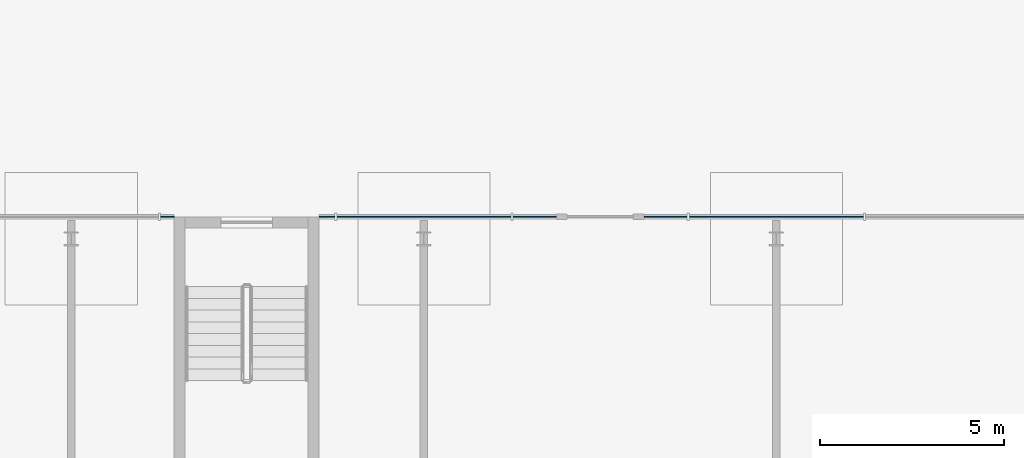
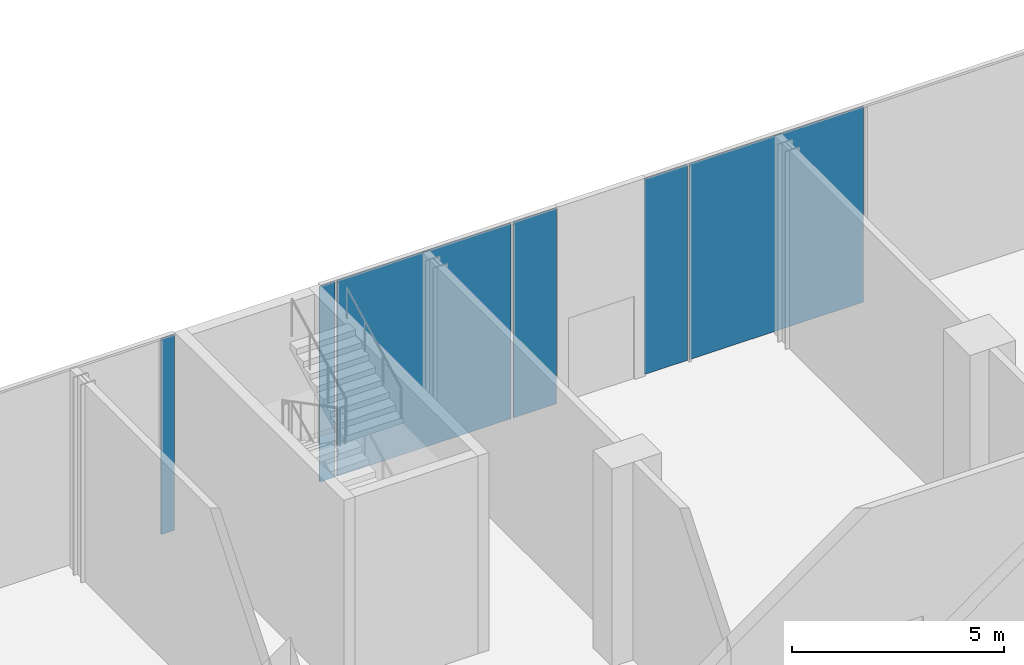
# One storey, part 26 of 44: 6 plates, 1 element without a shape of its own.
"""IFC4 building model written with IfcOpenShell, lengths in metres."""

from ifc_helpers import new_model, si_unit, direction, frame, origin, origin_2d, place, context, subcontext, project, spatial, rectangle, extrude, material, layer, layer_set, type_object, element, aggregate, save


model = new_model("IFC4")

# Units and contexts
model_context = context("Model", 3, precision=1e-05, world=origin(), true_north=direction((0.0, 1.0)))
body_context = subcontext(model_context, "Body", "Model", "MODEL_VIEW")
ifc_project = project(units=[si_unit("LENGTHUNIT", "METRE"), si_unit("AREAUNIT", "SQUARE_METRE"), si_unit("VOLUMEUNIT", "CUBIC_METRE"), si_unit("PLANEANGLEUNIT", "RADIAN"), si_unit("MASSUNIT", "GRAM", prefix="KILO")], contexts=[model_context])

# Site, building, storey
site_placement = place(None, origin())
site = spatial("IfcSite", under=ifc_project, at=site_placement, CompositionType="ELEMENT")
building_placement = place(site_placement, origin())
building = spatial("IfcBuilding", under=site, at=building_placement, Name="Madar Terraces", CompositionType="ELEMENT")
storey_placement = place(building_placement, origin())
storey = spatial("IfcBuildingStorey", under=building, at=storey_placement, Name="L00", CompositionType="ELEMENT", Elevation=0.0)

# Curtain wall, plates
ifc_material_1 = material(Name="Glass, clear low-iron, with black aluminium frame", Category="aluminium")
ifc_layer_1 = layer(ifc_material_1, 0.199951171875)
ifc_layer_set_1 = layer_set([ifc_layer_1], Name="Facade curtain wall, shopfront glazing")
curtain_wall_type = type_object("IfcCurtainWallType", Name="Facade curtain wall, shopfront glazing", PredefinedType="NOTDEFINED", material=ifc_layer_set_1)
curtain_wall_placement = place(storey_placement, origin())
curtain_wall = element("IfcCurtainWall", 1, at=curtain_wall_placement, inside=storey, type_object=curtain_wall_type, Name="Outer skin curtain wall north bay 1", PredefinedType="NOTDEFINED")
ifc_material_2 = material(Name="Glass, ceramic frit dark grey", Category="glass")
ifc_layer_2 = layer(ifc_material_2, 0.028076171875)
ifc_layer_set_2 = layer_set([ifc_layer_2], Name="Facade glass panel 28")
plate_type = type_object("IfcPlateType", Name="Facade glass panel 28", PredefinedType="CURTAIN_PANEL", material=ifc_layer_set_2)
plate_1_placement = place(storey_placement, frame((52.800048828125, 57.60009765625, 0.0), z_axis=(0.0, 0.0, 1.0), x_axis=(-1.0, 0.0, 0.0)))
plate_1 = element("IfcPlate", 2, at=plate_1_placement, type_object=plate_type, Name="Panel 3", PredefinedType="CURTAIN_PANEL", context=body_context, shape_type="SweptSolid", body=[
    extrude(rectangle(XDim=4.739990234375, YDim=0.028076171875, at=origin_2d()), origin(), (0.0, 0.0, 1.0), 5.639892578125),
])
plate_2_placement = place(storey_placement, frame((49.784912109375, 57.60009765625, 0.0), z_axis=(0.0, 0.0, 1.0), x_axis=(-1.0, 0.0, 0.0)))
plate_2 = element("IfcPlate", 3, at=plate_2_placement, type_object=plate_type, Name="Panel 4", PredefinedType="CURTAIN_PANEL", context=body_context, shape_type="SweptSolid", body=[
    extrude(rectangle(XDim=1.169921875, YDim=0.028076171875, at=origin_2d()), origin(), (0.0, 0.0, 1.0), 5.639892578125),
])
plate_3_placement = place(storey_placement, frame((46.215087890625, 57.60009765625, 0.0), z_axis=(0.0, 0.0, 1.0), x_axis=(-1.0, 0.0, 0.0)))
plate_3 = element("IfcPlate", 4, at=plate_3_placement, type_object=plate_type, Name="Panel 5", PredefinedType="CURTAIN_PANEL", context=body_context, shape_type="SweptSolid", body=[
    extrude(rectangle(XDim=1.169921875, YDim=0.028076171875, at=origin_2d()), origin(), (0.0, 0.0, 1.0), 5.639892578125),
])
plate_4_placement = place(storey_placement, frame((43.199951171875, 57.60009765625, 0.0), z_axis=(0.0, 0.0, 1.0), x_axis=(-1.0, 0.0, 0.0)))
plate_4 = element("IfcPlate", 5, at=plate_4_placement, type_object=plate_type, Name="Panel 6", PredefinedType="CURTAIN_PANEL", context=body_context, shape_type="SweptSolid", body=[
    extrude(rectangle(XDim=4.739990234375, YDim=0.028076171875, at=origin_2d()), origin(), (0.0, 0.0, 1.0), 5.639892578125),
])
plate_5_placement = place(storey_placement, frame((40.56005859375, 57.60009765625, 0.0), z_axis=(0.0, 0.0, 1.0), x_axis=(-1.0, 0.0, 0.0)))
plate_5 = element("IfcPlate", 6, at=plate_5_placement, type_object=plate_type, Name="Panel 7", PredefinedType="CURTAIN_PANEL", context=body_context, shape_type="SweptSolid", body=[
    extrude(rectangle(XDim=0.419921875, YDim=0.028076171875, at=origin_2d()), origin(), (0.0, 0.0, 1.0), 5.639892578125),
])
plate_6_placement = place(storey_placement, frame((36.215087890625, 57.60009765625, 0.0), z_axis=(0.0, 0.0, 1.0), x_axis=(-1.0, 0.0, 0.0)))
plate_6 = element("IfcPlate", 7, at=plate_6_placement, type_object=plate_type, Name="Panel 8", PredefinedType="CURTAIN_PANEL", context=body_context, shape_type="SweptSolid", body=[
    extrude(rectangle(XDim=0.3701171875, YDim=0.028076171875, at=origin_2d()), origin(), (0.0, 0.0, 1.0), 5.639892578125),
])
aggregate(curtain_wall, [plate_1, plate_2, plate_3, plate_4, plate_5, plate_6])

save(model, "model.ifc")
